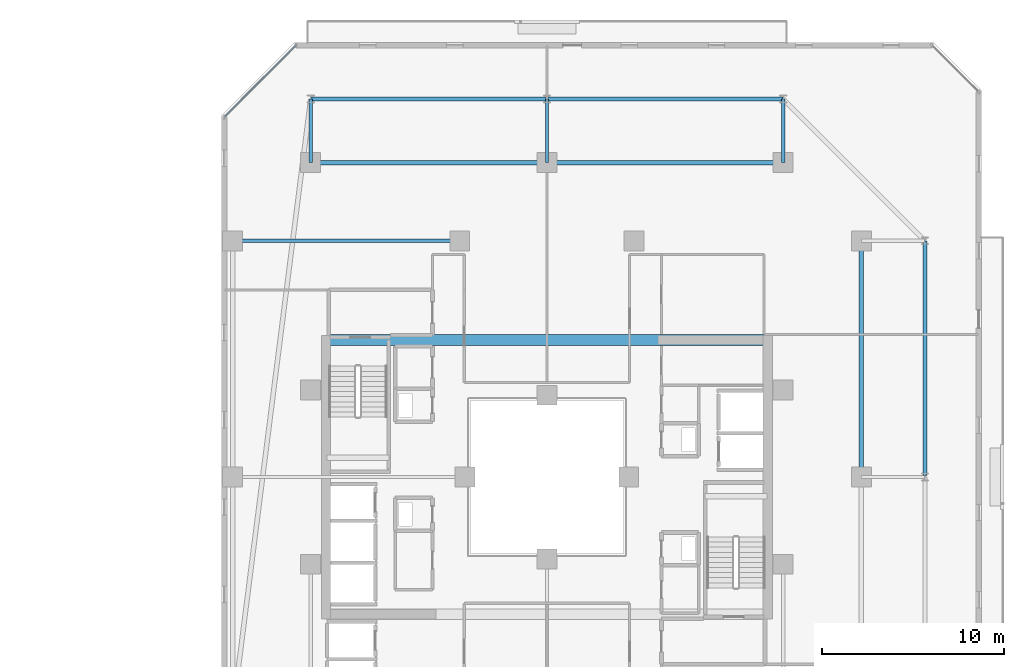
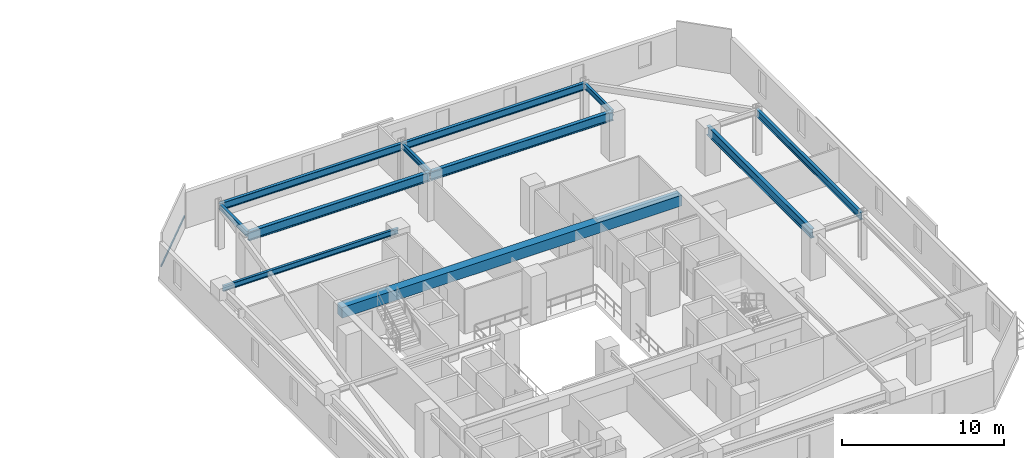
# One storey, part 15 of 32: 11 beams, 1 member, 1 element without a shape of its own.
"""IFC4 building model written with IfcOpenShell, lengths in metres."""

from ifc_helpers import new_model, si_unit, direction, frame, origin, origin_2d, place, context, subcontext, project, spatial, rectangle, hollow_rectangle, i_section, extrude, material, material_profile, profile_set, type_object, element, aggregate, save


model = new_model("IFC4")

# Units and contexts
model_context = context("Model", 3, precision=1e-05, world=origin(), true_north=direction((0.0, 1.0)))
body_context = subcontext(model_context, "Body", "Model", "MODEL_VIEW")
ifc_project = project(units=[si_unit("LENGTHUNIT", "METRE"), si_unit("AREAUNIT", "SQUARE_METRE"), si_unit("VOLUMEUNIT", "CUBIC_METRE"), si_unit("PLANEANGLEUNIT", "RADIAN"), si_unit("MASSUNIT", "GRAM", prefix="KILO")], contexts=[model_context])

# Site, building, storey
site_placement = place(None, origin())
site = spatial("IfcSite", under=ifc_project, at=site_placement, CompositionType="ELEMENT")
building_placement = place(site_placement, origin())
building = spatial("IfcBuilding", under=site, at=building_placement, Name="Thornwick Lancets Civic Towers", CompositionType="ELEMENT")
storey_placement = place(building_placement, frame((0.0, 0.0, 152.699951171875)))
storey = spatial("IfcBuildingStorey", under=building, at=storey_placement, Name="L40", CompositionType="ELEMENT", Elevation=152.699951171875)

# Beams
ifc_material_1 = material(Name="Concrete C60/75", Category="concrete")
ifc_material_profile_1 = material_profile(ifc_material_1, rectangle(XDim=0.60009765625, YDim=0.800048828125, at=origin_2d()), Name="RC 600x800")
ifc_profile_set_1 = profile_set([ifc_material_profile_1], Name="Concrete C60/75")
beam_type_1 = type_object("IfcBeamType", Name="BM_COUP_RC800", PredefinedType="BEAM", material=ifc_profile_set_1)
beam_1_placement = place(storey_placement, frame((76.39990234375, 34.550048828125, 2.9599609375), z_axis=(1.0, 0.0, 0.0), x_axis=(0.0, 1.0, 0.0)))
element("IfcBeam", 1, at=beam_1_placement, inside=storey, type_object=beam_type_1, Name="CB-L40-B1", PredefinedType="BEAM", context=body_context, shape_type="SweptSolid", body=[
    extrude(rectangle(XDim=0.60009765625, YDim=0.800048828125, at=origin_2d()), origin(), (0.0, 0.0, 1.0), 24.2001953125),
])
ifc_material_2 = material(Name="Steel S355JR", Category="steel")
ifc_material_profile_2 = material_profile(ifc_material_2, i_section(OverallWidth=0.210693359375, OverallDepth=0.53955078125, WebThickness=0.01171875, FlangeThickness=0.018798828125, FilletRadius=0.0126953125, at=origin_2d()), Name="UKB 533x210x109")
ifc_profile_set_2 = profile_set([ifc_material_profile_2], Name="Steel S355JR")
beam_type_2 = type_object("IfcBeamType", Name="BM_EDGE_533_109", PredefinedType="SPANDREL", material=ifc_profile_set_2)
beam_2_placement = place(storey_placement, frame((109.300048828125, 27.080078125, 3.09033203125), z_axis=(0.0, 1.0, 0.0), x_axis=(-1.0, 0.0, 0.0)))
element("IfcBeam", 2, at=beam_2_placement, inside=storey, type_object=beam_type_2, Name="BM-EDGE-L40-B-S0-2", PredefinedType="SPANDREL", context=body_context, shape_type="SweptSolid", body=[
    extrude(i_section(OverallWidth=0.210693359375, OverallDepth=0.53955078125, WebThickness=0.01171875, FlangeThickness=0.018798828125, FilletRadius=0.0126953125, at=origin_2d()), origin(), (0.0, 0.0, 1.0), 12.919921875),
])
beam_3_placement = place(storey_placement, frame((101.5, 47.800048828125, 3.09033203125), z_axis=(-1.0, 0.0, 0.0), x_axis=(0.0, -1.0, 0.0)))
element("IfcBeam", 3, at=beam_3_placement, inside=storey, type_object=beam_type_2, Name="BM-EDGE-L40-B-S1-1", PredefinedType="SPANDREL", context=body_context, shape_type="SweptSolid", body=[
    extrude(i_section(OverallWidth=0.210693359375, OverallDepth=0.53955078125, WebThickness=0.01171875, FlangeThickness=0.018798828125, FilletRadius=0.0126953125, at=origin_2d()), origin(), (0.0, 0.0, 1.0), 13.0),
])
beam_4_placement = place(storey_placement, frame((88.419921875, 47.800048828125, 3.09033203125), z_axis=(-1.0, 0.0, 0.0), x_axis=(0.0, -1.0, 0.0)))
element("IfcBeam", 4, at=beam_4_placement, inside=storey, type_object=beam_type_2, Name="BM-EDGE-L40-B-S1-2", PredefinedType="SPANDREL", context=body_context, shape_type="SweptSolid", body=[
    extrude(i_section(OverallWidth=0.210693359375, OverallDepth=0.53955078125, WebThickness=0.01171875, FlangeThickness=0.018798828125, FilletRadius=0.0126953125, at=origin_2d()), origin(), (0.0, 0.0, 1.0), 12.919921875),
])
ifc_material_profile_3 = material_profile(ifc_material_2, i_section(OverallWidth=0.255859375, OverallDepth=0.69287109375, WebThickness=0.014404296875, FlangeThickness=0.023681640625, FilletRadius=0.01513671875, at=origin_2d()), Name="UKB 686x254x170")
ifc_profile_set_3 = profile_set([ifc_material_profile_3], Name="Steel S355JR")
beam_type_3 = type_object("IfcBeamType", Name="BM_GIRD_686_170", PredefinedType="BEAM", material=ifc_profile_set_3)
beam_5_placement = place(storey_placement, frame((105.800048828125, 27.080078125, 3.013427734375), z_axis=(0.0, 1.0, 0.0), x_axis=(-1.0, 0.0, 0.0)))
element("IfcBeam", 5, at=beam_5_placement, inside=storey, type_object=beam_type_3, Name="BM-SPINE-L40-B-1-2", PredefinedType="BEAM", context=body_context, shape_type="SweptSolid", body=[
    extrude(i_section(OverallWidth=0.255859375, OverallDepth=0.69287109375, WebThickness=0.014404296875, FlangeThickness=0.023681640625, FilletRadius=0.01513671875, at=origin_2d()), origin(), (0.0, 0.0, 1.0), 12.919921875),
])
beam_6_placement = place(storey_placement, frame((101.5, 44.300048828125, 3.013427734375), z_axis=(-1.0, 0.0, 0.0), x_axis=(0.0, -1.0, 0.0)))
element("IfcBeam", 6, at=beam_6_placement, inside=storey, type_object=beam_type_3, Name="BM-SPINE-L40-B-3-4", PredefinedType="BEAM", context=body_context, shape_type="SweptSolid", body=[
    extrude(i_section(OverallWidth=0.255859375, OverallDepth=0.69287109375, WebThickness=0.014404296875, FlangeThickness=0.023681640625, FilletRadius=0.01513671875, at=origin_2d()), origin(), (0.0, 0.0, 1.0), 13.0),
])
beam_7_placement = place(storey_placement, frame((88.419921875, 44.300048828125, 3.013427734375), z_axis=(-1.0, 0.0, 0.0), x_axis=(0.0, -1.0, 0.0)))
element("IfcBeam", 7, at=beam_7_placement, inside=storey, type_object=beam_type_3, Name="BM-SPINE-L40-B-4-5", PredefinedType="BEAM", context=body_context, shape_type="SweptSolid", body=[
    extrude(i_section(OverallWidth=0.255859375, OverallDepth=0.69287109375, WebThickness=0.014404296875, FlangeThickness=0.023681640625, FilletRadius=0.01513671875, at=origin_2d()), origin(), (0.0, 0.0, 1.0), 12.919921875),
])
ifc_material_profile_4 = material_profile(ifc_material_2, i_section(OverallWidth=0.179443359375, OverallDepth=0.412841796875, WebThickness=0.009521484375, FlangeThickness=0.01611328125, FilletRadius=0.01025390625, at=origin_2d()), Name="UKB 406x178x74")
ifc_profile_set_4 = profile_set([ifc_material_profile_4], Name="Steel S355JR")
beam_type_4 = type_object("IfcBeamType", Name="BM_JOIST_406_74", PredefinedType="JOIST", material=ifc_profile_set_4)
for number, where, z_axis, x_axis, name in (
    (8, (101.5, 44.300048828125, 3.153564453125), (0.0, 1.0, 0.0), (-1.0, 0.0, 0.0), "BM-RAD-L40-B04"),
    (9, (88.5, 44.300048828125, 3.153564453125), (0.0, 1.0, 0.0), (-1.0, 0.0, 0.0), "BM-RAD-L40-B05"),
    (10, (75.5, 44.300048828125, 3.153564453125), (0.0, 1.0, 0.0), (-1.0, 0.0, 0.0), "BM-RAD-L40-B06"),
):
    element("IfcBeam", number, at=place(storey_placement, frame(where, z_axis=z_axis, x_axis=x_axis)), inside=storey, type_object=beam_type_4, Name=name, PredefinedType="JOIST", context=body_context, shape_type="SweptSolid", body=[
        extrude(i_section(OverallWidth=0.179443359375, OverallDepth=0.412841796875, WebThickness=0.009521484375, FlangeThickness=0.01611328125, FilletRadius=0.01025390625, at=origin_2d()), origin(), (0.0, 0.0, 1.0), 3.5),
    ])
beam_8_placement = place(storey_placement, frame((83.699951171875, 40.0, 3.153564453125), z_axis=(-1.0, 0.0, 0.0), x_axis=(0.0, -1.0, 0.0)))
element("IfcBeam", 11, at=beam_8_placement, inside=storey, type_object=beam_type_4, Name="BM-RADIN-L40-B09", PredefinedType="JOIST", context=body_context, shape_type="SweptSolid", body=[
    extrude(i_section(OverallWidth=0.179443359375, OverallDepth=0.412841796875, WebThickness=0.009521484375, FlangeThickness=0.01611328125, FilletRadius=0.01025390625, at=origin_2d()), origin(), (0.0, 0.0, 1.0), 12.5),
])

# Curtain wall, member
ifc_material_3 = material(Name="Mid-zone chamfered-corner unitised glass curtain wall", Category="glass")
curtain_wall_type = type_object("IfcCurtainWallType", Name="CW_SYS_04", PredefinedType="NOTDEFINED", material=ifc_material_3)
curtain_wall_placement = place(storey_placement, origin())
curtain_wall = element("IfcCurtainWall", 12, at=curtain_wall_placement, inside=storey, type_object=curtain_wall_type, Name="L40 Curtain Wall CW-L40-B-E5", PredefinedType="NOTDEFINED")
ifc_material_4 = material(Name="Thermally broken bronze aluminium S355", Category="steel")
ifc_material_profile_5 = material_profile(ifc_material_4, hollow_rectangle(XDim=0.074951171875, YDim=0.14990234375, WallThickness=0.0048828125, at=origin_2d()), Name="RHS 150x75x5")
ifc_profile_set_5 = profile_set([ifc_material_profile_5], Name="Thermally broken bronze aluminium S355")
member_type = type_object("IfcMemberType", Name="CW_TRN_150", PredefinedType="USERDEFINED", material=ifc_profile_set_5)
member_placement = place(storey_placement, frame((74.68408203125, 50.74609375, 0.85009765625), z_axis=(-0.707106781187, -0.707106781187, 0.0), x_axis=(0.707106781187, -0.707106781187, 0.0)))
member = element("IfcMember", 13, at=member_placement, type_object=member_type, Name="CW-L40-B-E5 Transom 0", ObjectType="TRANSOM", PredefinedType="USERDEFINED", context=body_context, shape_type="SweptSolid", body=[
    extrude(hollow_rectangle(XDim=0.074951171875, YDim=0.14990234375, WallThickness=0.0048828125, at=origin_2d()), origin(), (0.0, 0.0, 1.0), 5.55810546875),
])
aggregate(curtain_wall, [member])

save(model, "model.ifc")
